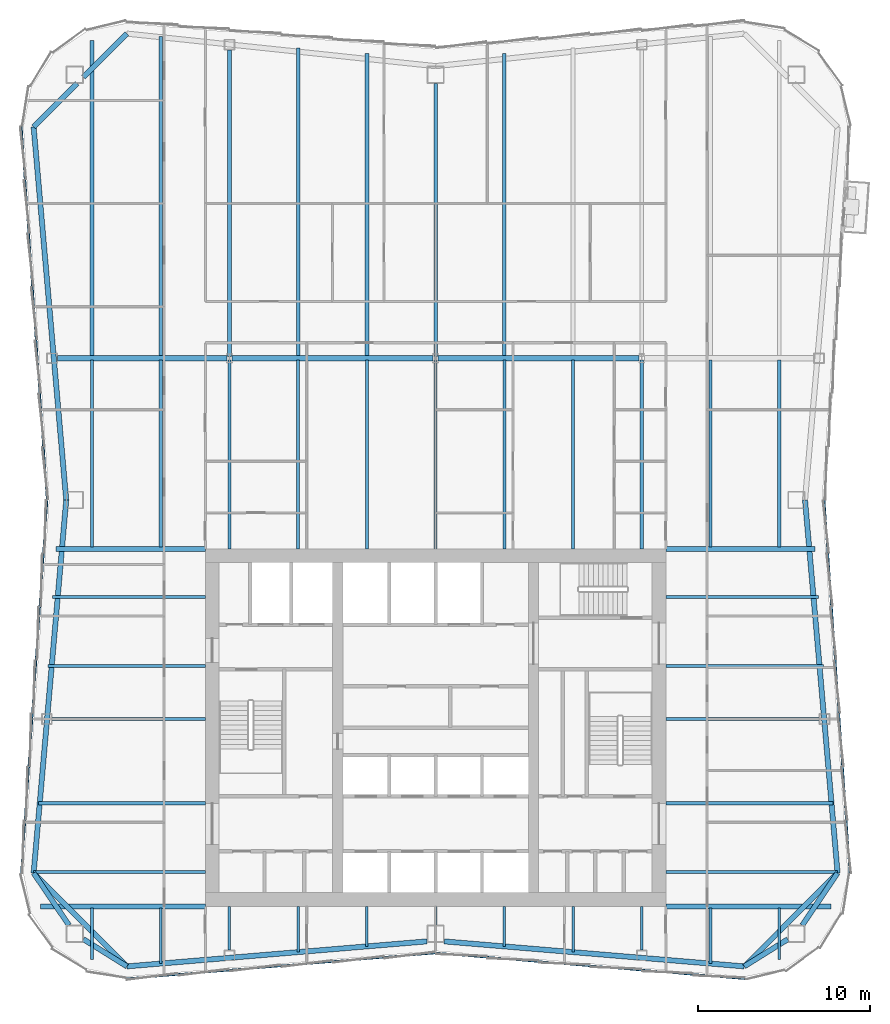
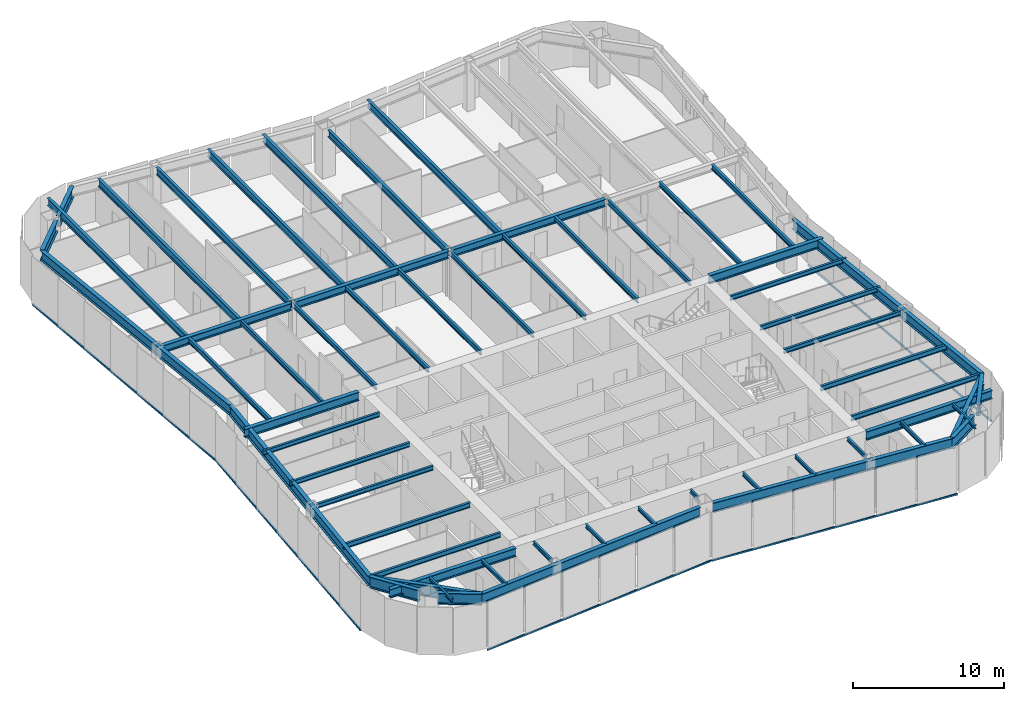
# One storey, part 3 of 12: 59 beams, 5 members, 3 elements without a shape of their own.
"""IFC4 building model written with IfcOpenShell, lengths in metres."""

from ifc_helpers import new_model, si_unit, direction, frame, origin, origin_2d, place, context, subcontext, project, spatial, rectangle, i_section, extrude, material, material_profile, profile_set, type_object, element, aggregate, save


model = new_model("IFC4")

# Units and contexts
model_context = context("Model", 3, precision=1e-05, world=origin(), true_north=direction((0.0, 1.0)))
body_context = subcontext(model_context, "Body", "Model", "MODEL_VIEW")
ifc_project = project(units=[si_unit("LENGTHUNIT", "METRE"), si_unit("AREAUNIT", "SQUARE_METRE"), si_unit("VOLUMEUNIT", "CUBIC_METRE"), si_unit("PLANEANGLEUNIT", "RADIAN"), si_unit("MASSUNIT", "GRAM", prefix="KILO")], contexts=[model_context])

# Site, building, storey
site_placement = place(None, origin())
site = spatial("IfcSite", under=ifc_project, at=site_placement, CompositionType="ELEMENT")
building_placement = place(site_placement, origin())
building = spatial("IfcBuilding", under=site, at=building_placement, Name="Verdant Reach Tower", CompositionType="ELEMENT")
storey_placement = place(building_placement, frame((0.0, 0.0, 266.0)))
storey = spatial("IfcBuildingStorey", under=building, at=storey_placement, Name="L61", CompositionType="ELEMENT", Elevation=266.0)

# Curtain wall, member
ifc_material_1 = material(Name="Anodised aluminium", Category="aluminium")
curtain_wall_type = type_object("IfcCurtainWallType", Name="EN-CW SYSTEM Z4", PredefinedType="NOTDEFINED", material=ifc_material_1)
curtain_wall_1_placement = place(storey_placement, origin())
curtain_wall_1 = element("IfcCurtainWall", 1, at=curtain_wall_1_placement, inside=storey, type_object=curtain_wall_type, Name="Curtain wall east, L61", PredefinedType="NOTDEFINED")
ifc_material_profile_1 = material_profile(ifc_material_1, rectangle(XDim=0.10009765625, YDim=0.1279296875, at=origin_2d()), Name="Transom 128x100")
ifc_profile_set_1 = profile_set([ifc_material_profile_1], Name="Anodised aluminium")
member_type = type_object("IfcMemberType", Name="EN-TRANSOM Z4", PredefinedType="USERDEFINED", material=ifc_profile_set_1)
member_1_placement = place(storey_placement, frame((24.109375, 19.52685546875, -0.285888671875), z_axis=(-0.068770489035, 0.997632507408, 0.0), x_axis=(-0.997632507408, -0.068770489035, 0.0)))
member_1 = element("IfcMember", 2, at=member_1_placement, type_object=member_type, Name="Transom east face part 1 1.1, L61", ObjectType="TRANSOM", PredefinedType="USERDEFINED", context=body_context, shape_type="SweptSolid", body=[
    extrude(rectangle(XDim=0.10009765625, YDim=0.1279296875, at=origin_2d()), origin(), (0.0, 0.0, 1.0), 21.74072265625),
])
aggregate(curtain_wall_1, [member_1])

# Curtain wall, members
curtain_wall_2_placement = place(storey_placement, origin())
curtain_wall_2 = element("IfcCurtainWall", 3, at=curtain_wall_2_placement, inside=storey, type_object=curtain_wall_type, Name="Curtain wall west, L61", PredefinedType="NOTDEFINED")
member_2_placement = place(storey_placement, frame((-24.109375, 62.97314453125, -0.285888671875), z_axis=(0.068770489035, -0.997632507408, 0.0), x_axis=(0.997632507408, 0.068770489035, 0.0)))
member_2 = element("IfcMember", 4, at=member_2_placement, type_object=member_type, Name="Transom west face part 1 1.1, L61", ObjectType="TRANSOM", PredefinedType="USERDEFINED", context=body_context, shape_type="SweptSolid", body=[
    extrude(rectangle(XDim=0.10009765625, YDim=0.1279296875, at=origin_2d()), origin(), (0.0, 0.0, 1.0), 21.74072265625),
])
member_3_placement = place(storey_placement, frame((-22.6142578125, 41.216064453125, -0.285888671875), z_axis=(-0.068770489035, -0.997632507408, 0.0), x_axis=(0.997632507408, -0.068770489035, 0.0)))
member_3 = element("IfcMember", 5, at=member_3_placement, type_object=member_type, Name="Transom west face part 2 1.1, L61", ObjectType="TRANSOM", PredefinedType="USERDEFINED", context=body_context, shape_type="SweptSolid", body=[
    extrude(rectangle(XDim=0.10009765625, YDim=0.1279296875, at=origin_2d()), origin(), (0.0, 0.0, 1.0), 21.74072265625),
])
aggregate(curtain_wall_2, [member_2, member_3])

curtain_wall_3_placement = place(storey_placement, origin())
curtain_wall_3 = element("IfcCurtainWall", 6, at=curtain_wall_3_placement, inside=storey, type_object=curtain_wall_type, Name="Curtain wall south, L61", PredefinedType="NOTDEFINED")
member_4_placement = place(storey_placement, frame((-17.972412109375, 13.39111328125, -0.285888671875), z_axis=(0.996549124771, 0.083005071637, 0.0), x_axis=(-0.083005071637, 0.996549124771, 0.0)))
member_4 = element("IfcMember", 7, at=member_4_placement, type_object=member_type, Name="Transom south face part 1 1.1, L61", ObjectType="TRANSOM", PredefinedType="USERDEFINED", context=body_context, shape_type="SweptSolid", body=[
    extrude(rectangle(XDim=0.10009765625, YDim=0.1279296875, at=origin_2d()), origin(), (0.0, 0.0, 1.0), 18.00048828125),
])
member_5_placement = place(storey_placement, frame((0.033935546875, 14.88525390625, -0.285888671875), z_axis=(0.996549124771, -0.083005071637, 0.0), x_axis=(0.083005071637, 0.996549124771, 0.0)))
member_5 = element("IfcMember", 8, at=member_5_placement, type_object=member_type, Name="Transom south face part 2 1.1, L61", ObjectType="TRANSOM", PredefinedType="USERDEFINED", context=body_context, shape_type="SweptSolid", body=[
    extrude(rectangle(XDim=0.10009765625, YDim=0.1279296875, at=origin_2d()), origin(), (0.0, 0.0, 1.0), 18.00048828125),
])
aggregate(curtain_wall_3, [member_4, member_5])

# Beams
ifc_material_2 = material(Name="Steel S355", Category="steel")
ifc_material_profile_2 = material_profile(ifc_material_2, i_section(OverallWidth=0.300048828125, OverallDepth=0.60009765625, WebThickness=0.015380859375, FlangeThickness=0.030029296875, FilletRadius=0.027099609375, at=origin_2d()), Name="HEB 600")
ifc_profile_set_2 = profile_set([ifc_material_profile_2], Name="Steel S355")
beam_type_1 = type_object("IfcBeamType", Name="ST-BEAM-HEB600", PredefinedType="BEAM", material=ifc_profile_set_2)
beam_1_placement = place(storey_placement, frame((-22.01904296875, 49.5, 3.570068359375), z_axis=(1.0, 0.0, 0.0), x_axis=(0.0, 1.0, 0.0)))
element("IfcBeam", 9, at=beam_1_placement, inside=storey, type_object=beam_type_1, Name="Row girder, L61", PredefinedType="BEAM", context=body_context, shape_type="SweptSolid", body=[
    extrude(i_section(OverallWidth=0.300048828125, OverallDepth=0.60009765625, WebThickness=0.015380859375, FlangeThickness=0.030029296875, FilletRadius=0.027099609375, at=origin_2d()), origin(), (0.0, 0.0, 1.0), 9.865966796875),
])
for number, where, z_axis, x_axis, name in (
    (10, (-11.846923828125, 49.5, 3.570068359375), (1.0, 0.0, 0.0), (0.0, 1.0, 0.0), "Row girder, L61"),
    (11, (0.153076171875, 49.5, 3.570068359375), (1.0, 0.0, 0.0), (0.0, 1.0, 0.0), "Row girder, L61"),
):
    element("IfcBeam", number, at=place(storey_placement, frame(where, z_axis=z_axis, x_axis=x_axis)), inside=storey, type_object=beam_type_1, Name=name, PredefinedType="BEAM", context=body_context, shape_type="SweptSolid", body=[
        extrude(i_section(OverallWidth=0.300048828125, OverallDepth=0.60009765625, WebThickness=0.015380859375, FlangeThickness=0.030029296875, FilletRadius=0.027099609375, at=origin_2d()), origin(), (0.0, 0.0, 1.0), 11.69384765625),
    ])
ifc_material_profile_3 = material_profile(ifc_material_2, i_section(OverallWidth=0.300048828125, OverallDepth=0.699951171875, WebThickness=0.01708984375, FlangeThickness=0.031982421875, FilletRadius=0.027099609375, at=origin_2d()), Name="HEB 700")
ifc_profile_set_3 = profile_set([ifc_material_profile_3], Name="Steel S355")
beam_type_2 = type_object("IfcBeamType", Name="ST-BEAM-HEB700", PredefinedType="BEAM", material=ifc_profile_set_3)
for number, where, z_axis, x_axis, name in (
    (12, (13.39990234375, 38.39990234375, 3.52001953125), (1.0, 0.0, 0.0), (0.0, 1.0, 0.0), "Trimmer beam, L61"),
    (13, (-13.39990234375, 38.39990234375, 3.52001953125), (-1.0, 0.0, 0.0), (0.0, -1.0, 0.0), "Trimmer beam, L61"),
):
    element("IfcBeam", number, at=place(storey_placement, frame(where, z_axis=z_axis, x_axis=x_axis)), inside=storey, type_object=beam_type_2, Name=name, PredefinedType="BEAM", context=body_context, shape_type="SweptSolid", body=[
        extrude(i_section(OverallWidth=0.300048828125, OverallDepth=0.699951171875, WebThickness=0.01708984375, FlangeThickness=0.031982421875, FilletRadius=0.027099609375, at=origin_2d()), origin(), (0.0, 0.0, 1.0), 8.6953125),
    ])
for number, where, z_axis, x_axis, name in (
    (14, (13.39990234375, 17.60009765625, 3.52001953125), (1.0, 0.0, 0.0), (0.0, 1.0, 0.0), "Trimmer beam, L61"),
    (15, (-13.39990234375, 17.60009765625, 3.52001953125), (-1.0, 0.0, 0.0), (0.0, -1.0, 0.0), "Trimmer beam, L61"),
):
    element("IfcBeam", number, at=place(storey_placement, frame(where, z_axis=z_axis, x_axis=x_axis)), inside=storey, type_object=beam_type_2, Name=name, PredefinedType="BEAM", context=body_context, shape_type="SweptSolid", body=[
        extrude(i_section(OverallWidth=0.300048828125, OverallDepth=0.699951171875, WebThickness=0.01708984375, FlangeThickness=0.031982421875, FilletRadius=0.027099609375, at=origin_2d()), origin(), (0.0, 0.0, 1.0), 9.6103515625),
    ])
ifc_material_profile_4 = material_profile(ifc_material_2, i_section(OverallWidth=0.302001953125, OverallDepth=0.909912109375, WebThickness=0.02099609375, FlangeThickness=0.0400390625, FilletRadius=0.030029296875, at=origin_2d()), Name="HEM 900")
ifc_profile_set_4 = profile_set([ifc_material_profile_4], Name="Steel S355")
beam_type_3 = type_object("IfcBeamType", Name="ST-BEAM-HEM900", PredefinedType="BEAM", material=ifc_profile_set_4)
beam_2_placement = place(storey_placement, frame((20.5, 15.687744140625, 3.4150390625), z_axis=(-0.848163521635, -0.529734500073, 0.0), x_axis=(0.529734500073, -0.848163521635, 0.0)))
element("IfcBeam", 16, at=beam_2_placement, inside=storey, type_object=beam_type_3, Name="Column stub beam, L61", PredefinedType="BEAM", context=body_context, shape_type="SweptSolid", body=[
    extrude(i_section(OverallWidth=0.302001953125, OverallDepth=0.909912109375, WebThickness=0.02099609375, FlangeThickness=0.0400390625, FilletRadius=0.030029296875, at=origin_2d()), origin(), (0.0, 0.0, 1.0), 2.98779296875),
])
beam_3_placement = place(storey_placement, frame((21.33837890625, 16.5, 3.4150390625), z_axis=(0.560703975309, 0.828016335631, 0.0), x_axis=(-0.828016335631, 0.560703975309, 0.0)))
element("IfcBeam", 17, at=beam_3_placement, inside=storey, type_object=beam_type_3, Name="Column stub beam, L61", PredefinedType="BEAM", context=body_context, shape_type="SweptSolid", body=[
    extrude(i_section(OverallWidth=0.302001953125, OverallDepth=0.909912109375, WebThickness=0.02099609375, FlangeThickness=0.0400390625, FilletRadius=0.030029296875, at=origin_2d()), origin(), (0.0, 0.0, 1.0), 3.669677734375),
])
beam_4_placement = place(storey_placement, frame((-20.5, 15.687744140625, 3.4150390625), z_axis=(0.848163521635, -0.529734500073, 0.0), x_axis=(0.529734500073, 0.848163521635, 0.0)))
element("IfcBeam", 18, at=beam_4_placement, inside=storey, type_object=beam_type_3, Name="Column stub beam, L61", PredefinedType="BEAM", context=body_context, shape_type="SweptSolid", body=[
    extrude(i_section(OverallWidth=0.302001953125, OverallDepth=0.909912109375, WebThickness=0.02099609375, FlangeThickness=0.0400390625, FilletRadius=0.030029296875, at=origin_2d()), origin(), (0.0, 0.0, 1.0), 2.98779296875),
])
beam_5_placement = place(storey_placement, frame((-21.33837890625, 16.5, 3.4150390625), z_axis=(-0.560703975309, 0.828016335631, 0.0), x_axis=(-0.828016335631, -0.560703975309, 0.0)))
element("IfcBeam", 19, at=beam_5_placement, inside=storey, type_object=beam_type_3, Name="Column stub beam, L61", PredefinedType="BEAM", context=body_context, shape_type="SweptSolid", body=[
    extrude(i_section(OverallWidth=0.302001953125, OverallDepth=0.909912109375, WebThickness=0.02099609375, FlangeThickness=0.0400390625, FilletRadius=0.030029296875, at=origin_2d()), origin(), (0.0, 0.0, 1.0), 3.669677734375),
])
ifc_material_profile_5 = material_profile(ifc_material_2, i_section(OverallWidth=0.14990234375, OverallDepth=0.300048828125, WebThickness=0.007080078125, FlangeThickness=0.0107421875, FilletRadius=0.014892578125, at=origin_2d()), Name="IPE 300")
ifc_profile_set_5 = profile_set([ifc_material_profile_5], Name="Steel S355")
beam_type_4 = type_object("IfcBeamType", Name="ST-JOIST-IPE300", PredefinedType="JOIST", material=ifc_profile_set_5)
beam_6_placement = place(storey_placement, frame((-20.0, 17.5, 3.719970703125), z_axis=(0.0, -1.0, 0.0), x_axis=(1.0, 0.0, 0.0)))
element("IfcBeam", 20, at=beam_6_placement, inside=storey, type_object=beam_type_4, Name="Floor joist, L61", PredefinedType="JOIST", context=body_context, shape_type="SweptSolid", body=[
    extrude(i_section(OverallWidth=0.14990234375, OverallDepth=0.300048828125, WebThickness=0.007080078125, FlangeThickness=0.0107421875, FilletRadius=0.014892578125, at=origin_2d()), origin(), (0.0, 0.0, 1.0), 2.990478515625),
])
beam_7_placement = place(storey_placement, frame((-16.0, 17.5, 3.719970703125), z_axis=(0.0, -1.0, 0.0), x_axis=(1.0, 0.0, 0.0)))
element("IfcBeam", 21, at=beam_7_placement, inside=storey, type_object=beam_type_4, Name="Floor joist, L61", PredefinedType="JOIST", context=body_context, shape_type="SweptSolid", body=[
    extrude(i_section(OverallWidth=0.14990234375, OverallDepth=0.300048828125, WebThickness=0.007080078125, FlangeThickness=0.0107421875, FilletRadius=0.014892578125, at=origin_2d()), origin(), (0.0, 0.0, 1.0), 3.231201171875),
])
beam_8_placement = place(storey_placement, frame((-12.0, 17.60009765625, 3.719970703125), z_axis=(0.0, -1.0, 0.0), x_axis=(1.0, 0.0, 0.0)))
element("IfcBeam", 22, at=beam_8_placement, inside=storey, type_object=beam_type_4, Name="Floor joist, L61", PredefinedType="JOIST", context=body_context, shape_type="SweptSolid", body=[
    extrude(i_section(OverallWidth=0.14990234375, OverallDepth=0.300048828125, WebThickness=0.007080078125, FlangeThickness=0.0107421875, FilletRadius=0.014892578125, at=origin_2d()), origin(), (0.0, 0.0, 1.0), 2.550048828125),
])
beam_9_placement = place(storey_placement, frame((-8.0, 17.60009765625, 3.719970703125), z_axis=(0.0, -1.0, 0.0), x_axis=(1.0, 0.0, 0.0)))
element("IfcBeam", 23, at=beam_9_placement, inside=storey, type_object=beam_type_4, Name="Floor joist, L61", PredefinedType="JOIST", context=body_context, shape_type="SweptSolid", body=[
    extrude(i_section(OverallWidth=0.14990234375, OverallDepth=0.300048828125, WebThickness=0.007080078125, FlangeThickness=0.0107421875, FilletRadius=0.014892578125, at=origin_2d()), origin(), (0.0, 0.0, 1.0), 2.664794921875),
])
beam_10_placement = place(storey_placement, frame((-4.0, 17.60009765625, 3.719970703125), z_axis=(0.0, -1.0, 0.0), x_axis=(1.0, 0.0, 0.0)))
element("IfcBeam", 24, at=beam_10_placement, inside=storey, type_object=beam_type_4, Name="Floor joist, L61", PredefinedType="JOIST", context=body_context, shape_type="SweptSolid", body=[
    extrude(i_section(OverallWidth=0.14990234375, OverallDepth=0.300048828125, WebThickness=0.007080078125, FlangeThickness=0.0107421875, FilletRadius=0.014892578125, at=origin_2d()), origin(), (0.0, 0.0, 1.0), 2.331298828125),
])
beam_11_placement = place(storey_placement, frame((0.0, 17.60009765625, 3.719970703125), z_axis=(0.0, -1.0, 0.0), x_axis=(1.0, 0.0, 0.0)))
element("IfcBeam", 25, at=beam_11_placement, inside=storey, type_object=beam_type_4, Name="Floor joist, L61", PredefinedType="JOIST", context=body_context, shape_type="SweptSolid", body=[
    extrude(i_section(OverallWidth=0.14990234375, OverallDepth=0.300048828125, WebThickness=0.007080078125, FlangeThickness=0.0107421875, FilletRadius=0.014892578125, at=origin_2d()), origin(), (0.0, 0.0, 1.0), 1.10009765625),
])
beam_12_placement = place(storey_placement, frame((4.0, 17.60009765625, 3.719970703125), z_axis=(0.0, -1.0, 0.0), x_axis=(1.0, 0.0, 0.0)))
element("IfcBeam", 26, at=beam_12_placement, inside=storey, type_object=beam_type_4, Name="Floor joist, L61", PredefinedType="JOIST", context=body_context, shape_type="SweptSolid", body=[
    extrude(i_section(OverallWidth=0.14990234375, OverallDepth=0.300048828125, WebThickness=0.007080078125, FlangeThickness=0.0107421875, FilletRadius=0.014892578125, at=origin_2d()), origin(), (0.0, 0.0, 1.0), 2.331298828125),
])
beam_13_placement = place(storey_placement, frame((8.0, 17.60009765625, 3.719970703125), z_axis=(0.0, -1.0, 0.0), x_axis=(1.0, 0.0, 0.0)))
element("IfcBeam", 27, at=beam_13_placement, inside=storey, type_object=beam_type_4, Name="Floor joist, L61", PredefinedType="JOIST", context=body_context, shape_type="SweptSolid", body=[
    extrude(i_section(OverallWidth=0.14990234375, OverallDepth=0.300048828125, WebThickness=0.007080078125, FlangeThickness=0.0107421875, FilletRadius=0.014892578125, at=origin_2d()), origin(), (0.0, 0.0, 1.0), 2.664794921875),
])
beam_14_placement = place(storey_placement, frame((12.0, 17.60009765625, 3.719970703125), z_axis=(0.0, -1.0, 0.0), x_axis=(1.0, 0.0, 0.0)))
element("IfcBeam", 28, at=beam_14_placement, inside=storey, type_object=beam_type_4, Name="Floor joist, L61", PredefinedType="JOIST", context=body_context, shape_type="SweptSolid", body=[
    extrude(i_section(OverallWidth=0.14990234375, OverallDepth=0.300048828125, WebThickness=0.007080078125, FlangeThickness=0.0107421875, FilletRadius=0.014892578125, at=origin_2d()), origin(), (0.0, 0.0, 1.0), 2.550048828125),
])
beam_15_placement = place(storey_placement, frame((16.0, 17.5, 3.719970703125), z_axis=(0.0, -1.0, 0.0), x_axis=(1.0, 0.0, 0.0)))
element("IfcBeam", 29, at=beam_15_placement, inside=storey, type_object=beam_type_4, Name="Floor joist, L61", PredefinedType="JOIST", context=body_context, shape_type="SweptSolid", body=[
    extrude(i_section(OverallWidth=0.14990234375, OverallDepth=0.300048828125, WebThickness=0.007080078125, FlangeThickness=0.0107421875, FilletRadius=0.014892578125, at=origin_2d()), origin(), (0.0, 0.0, 1.0), 3.231201171875),
])
beam_16_placement = place(storey_placement, frame((20.0, 17.5, 3.719970703125), z_axis=(0.0, -1.0, 0.0), x_axis=(1.0, 0.0, 0.0)))
element("IfcBeam", 30, at=beam_16_placement, inside=storey, type_object=beam_type_4, Name="Floor joist, L61", PredefinedType="JOIST", context=body_context, shape_type="SweptSolid", body=[
    extrude(i_section(OverallWidth=0.14990234375, OverallDepth=0.300048828125, WebThickness=0.007080078125, FlangeThickness=0.0107421875, FilletRadius=0.014892578125, at=origin_2d()), origin(), (0.0, 0.0, 1.0), 2.990478515625),
])
ifc_material_profile_6 = material_profile(ifc_material_2, i_section(OverallWidth=0.169921875, OverallDepth=0.360107421875, WebThickness=0.008056640625, FlangeThickness=0.0126953125, FilletRadius=0.01806640625, at=origin_2d()), Name="IPE 360")
ifc_profile_set_6 = profile_set([ifc_material_profile_6], Name="Steel S355")
beam_type_5 = type_object("IfcBeamType", Name="ST-JOIST-IPE360", PredefinedType="JOIST", material=ifc_profile_set_6)
for number, where, z_axis, x_axis, name in (
    (31, (13.39990234375, 28.5, 3.68994140625), (1.0, 0.0, 0.0), (0.0, 1.0, 0.0), "Floor joist, L61"),
    (32, (-13.39990234375, 28.5, 3.68994140625), (-1.0, 0.0, 0.0), (0.0, -1.0, 0.0), "Floor joist, L61"),
):
    element("IfcBeam", number, at=place(storey_placement, frame(where, z_axis=z_axis, x_axis=x_axis)), inside=storey, type_object=beam_type_5, Name=name, PredefinedType="JOIST", context=body_context, shape_type="SweptSolid", body=[
        extrude(i_section(OverallWidth=0.169921875, OverallDepth=0.360107421875, WebThickness=0.008056640625, FlangeThickness=0.0126953125, FilletRadius=0.01806640625, at=origin_2d()), origin(), (0.0, 0.0, 1.0), 8.929443359375),
    ])
for number, where, z_axis, x_axis, name in (
    (33, (13.39990234375, 31.60009765625, 3.68994140625), (1.0, 0.0, 0.0), (0.0, 1.0, 0.0), "Floor joist, L61"),
    (34, (-13.39990234375, 31.60009765625, 3.68994140625), (-1.0, 0.0, 0.0), (0.0, -1.0, 0.0), "Floor joist, L61"),
):
    element("IfcBeam", number, at=place(storey_placement, frame(where, z_axis=z_axis, x_axis=x_axis)), inside=storey, type_object=beam_type_5, Name=name, PredefinedType="JOIST", context=body_context, shape_type="SweptSolid", body=[
        extrude(i_section(OverallWidth=0.169921875, OverallDepth=0.360107421875, WebThickness=0.008056640625, FlangeThickness=0.0126953125, FilletRadius=0.01806640625, at=origin_2d()), origin(), (0.0, 0.0, 1.0), 9.164306640625),
    ])
for number, where, z_axis, x_axis, name in (
    (35, (13.39990234375, 35.60009765625, 3.68994140625), (1.0, 0.0, 0.0), (0.0, 1.0, 0.0), "Floor joist, L61"),
    (36, (-13.39990234375, 35.60009765625, 3.68994140625), (-1.0, 0.0, 0.0), (0.0, -1.0, 0.0), "Floor joist, L61"),
):
    element("IfcBeam", number, at=place(storey_placement, frame(where, z_axis=z_axis, x_axis=x_axis)), inside=storey, type_object=beam_type_5, Name=name, PredefinedType="JOIST", context=body_context, shape_type="SweptSolid", body=[
        extrude(i_section(OverallWidth=0.169921875, OverallDepth=0.360107421875, WebThickness=0.008056640625, FlangeThickness=0.0126953125, FilletRadius=0.01806640625, at=origin_2d()), origin(), (0.0, 0.0, 1.0), 8.88818359375),
    ])
ifc_material_profile_7 = material_profile(ifc_material_2, i_section(OverallWidth=0.179931640625, OverallDepth=0.39990234375, WebThickness=0.008544921875, FlangeThickness=0.013427734375, FilletRadius=0.02099609375, at=origin_2d()), Name="IPE 400")
ifc_profile_set_7 = profile_set([ifc_material_profile_7], Name="Steel S355")
beam_type_6 = type_object("IfcBeamType", Name="ST-JOIST-IPE400", PredefinedType="JOIST", material=ifc_profile_set_7)
for number, where, z_axis, x_axis, name in (
    (37, (-20.0, 38.5, 3.669921875), (0.0, 1.0, 0.0), (-1.0, 0.0, 0.0), "Floor joist, L61"),
    (38, (-16.0, 38.5, 3.669921875), (0.0, 1.0, 0.0), (-1.0, 0.0, 0.0), "Floor joist, L61"),
):
    element("IfcBeam", number, at=place(storey_placement, frame(where, z_axis=z_axis, x_axis=x_axis)), inside=storey, type_object=beam_type_6, Name=name, PredefinedType="JOIST", context=body_context, shape_type="SweptSolid", body=[
        extrude(i_section(OverallWidth=0.179931640625, OverallDepth=0.39990234375, WebThickness=0.008544921875, FlangeThickness=0.013427734375, FilletRadius=0.02099609375, at=origin_2d()), origin(), (0.0, 0.0, 1.0), 10.89990234375),
    ])
for number, where, z_axis, x_axis, name in (
    (39, (-12.0, 38.39990234375, 3.669921875), (0.0, 1.0, 0.0), (-1.0, 0.0, 0.0), "Floor joist, L61"),
    (40, (-8.0, 38.39990234375, 3.669921875), (0.0, 1.0, 0.0), (-1.0, 0.0, 0.0), "Floor joist, L61"),
    (41, (-4.0, 38.39990234375, 3.669921875), (0.0, 1.0, 0.0), (-1.0, 0.0, 0.0), "Floor joist, L61"),
    (42, (0.0, 38.39990234375, 3.669921875), (0.0, 1.0, 0.0), (-1.0, 0.0, 0.0), "Floor joist, L61"),
    (43, (4.0, 38.39990234375, 3.669921875), (0.0, 1.0, 0.0), (-1.0, 0.0, 0.0), "Floor joist, L61"),
    (44, (8.0, 38.39990234375, 3.669921875), (0.0, 1.0, 0.0), (-1.0, 0.0, 0.0), "Floor joist, L61"),
    (45, (12.0, 38.39990234375, 3.669921875), (0.0, 1.0, 0.0), (-1.0, 0.0, 0.0), "Floor joist, L61"),
):
    element("IfcBeam", number, at=place(storey_placement, frame(where, z_axis=z_axis, x_axis=x_axis)), inside=storey, type_object=beam_type_6, Name=name, PredefinedType="JOIST", context=body_context, shape_type="SweptSolid", body=[
        extrude(i_section(OverallWidth=0.179931640625, OverallDepth=0.39990234375, WebThickness=0.008544921875, FlangeThickness=0.013427734375, FilletRadius=0.02099609375, at=origin_2d()), origin(), (0.0, 0.0, 1.0), 11.0),
    ])
for number, where, z_axis, x_axis, name in (
    (46, (16.0, 38.5, 3.669921875), (0.0, 1.0, 0.0), (-1.0, 0.0, 0.0), "Floor joist, L61"),
    (47, (20.0, 38.5, 3.669921875), (0.0, 1.0, 0.0), (-1.0, 0.0, 0.0), "Floor joist, L61"),
):
    element("IfcBeam", number, at=place(storey_placement, frame(where, z_axis=z_axis, x_axis=x_axis)), inside=storey, type_object=beam_type_6, Name=name, PredefinedType="JOIST", context=body_context, shape_type="SweptSolid", body=[
        extrude(i_section(OverallWidth=0.179931640625, OverallDepth=0.39990234375, WebThickness=0.008544921875, FlangeThickness=0.013427734375, FilletRadius=0.02099609375, at=origin_2d()), origin(), (0.0, 0.0, 1.0), 10.89990234375),
    ])
for number, where, z_axis, x_axis, name in (
    (48, (13.39990234375, 19.60009765625, 3.669921875), (1.0, 0.0, 0.0), (0.0, 1.0, 0.0), "Floor joist, L61"),
    (49, (-13.39990234375, 19.60009765625, 3.669921875), (-1.0, 0.0, 0.0), (0.0, -1.0, 0.0), "Floor joist, L61"),
):
    element("IfcBeam", number, at=place(storey_placement, frame(where, z_axis=z_axis, x_axis=x_axis)), inside=storey, type_object=beam_type_6, Name=name, PredefinedType="JOIST", context=body_context, shape_type="SweptSolid", body=[
        extrude(i_section(OverallWidth=0.179931640625, OverallDepth=0.39990234375, WebThickness=0.008544921875, FlangeThickness=0.013427734375, FilletRadius=0.02099609375, at=origin_2d()), origin(), (0.0, 0.0, 1.0), 9.99169921875),
    ])
for number, where, z_axis, x_axis, name in (
    (50, (13.39990234375, 23.60009765625, 3.669921875), (1.0, 0.0, 0.0), (0.0, 1.0, 0.0), "Floor joist, L61"),
    (51, (-13.39990234375, 23.60009765625, 3.669921875), (-1.0, 0.0, 0.0), (0.0, -1.0, 0.0), "Floor joist, L61"),
):
    element("IfcBeam", number, at=place(storey_placement, frame(where, z_axis=z_axis, x_axis=x_axis)), inside=storey, type_object=beam_type_6, Name=name, PredefinedType="JOIST", context=body_context, shape_type="SweptSolid", body=[
        extrude(i_section(OverallWidth=0.179931640625, OverallDepth=0.39990234375, WebThickness=0.008544921875, FlangeThickness=0.013427734375, FilletRadius=0.02099609375, at=origin_2d()), origin(), (0.0, 0.0, 1.0), 9.7158203125),
    ])
ifc_material_profile_8 = material_profile(ifc_material_2, i_section(OverallWidth=0.2099609375, OverallDepth=0.550048828125, WebThickness=0.010986328125, FlangeThickness=0.01708984375, FilletRadius=0.02392578125, at=origin_2d()), Name="IPE 550")
ifc_profile_set_8 = profile_set([ifc_material_profile_8], Name="Steel S355")
beam_type_7 = type_object("IfcBeamType", Name="ST-JOIST-IPE550", PredefinedType="JOIST", material=ifc_profile_set_8)
beam_17_placement = place(storey_placement, frame((0.0, 49.60009765625, 3.594970703125), z_axis=(0.0, 1.0, 0.0), x_axis=(-1.0, 0.0, 0.0)))
element("IfcBeam", 52, at=beam_17_placement, inside=storey, type_object=beam_type_7, Name="Floor joist, L61", PredefinedType="JOIST", context=body_context, shape_type="SweptSolid", body=[
    extrude(i_section(OverallWidth=0.2099609375, OverallDepth=0.550048828125, WebThickness=0.010986328125, FlangeThickness=0.01708984375, FilletRadius=0.02392578125, at=origin_2d()), origin(), (0.0, 0.0, 1.0), 15.89990234375),
])
ifc_material_profile_9 = material_profile(ifc_material_2, i_section(OverallWidth=0.219970703125, OverallDepth=0.60009765625, WebThickness=0.011962890625, FlangeThickness=0.01904296875, FilletRadius=0.02392578125, at=origin_2d()), Name="IPE 600")
ifc_profile_set_9 = profile_set([ifc_material_profile_9], Name="Steel S355")
beam_type_8 = type_object("IfcBeamType", Name="ST-JOIST-IPE600", PredefinedType="JOIST", material=ifc_profile_set_9)
beam_18_placement = place(storey_placement, frame((-20.0, 49.60009765625, 3.570068359375), z_axis=(0.0, 1.0, 0.0), x_axis=(-1.0, 0.0, 0.0)))
element("IfcBeam", 53, at=beam_18_placement, inside=storey, type_object=beam_type_8, Name="Floor joist, L61", PredefinedType="JOIST", context=body_context, shape_type="SweptSolid", body=[
    extrude(i_section(OverallWidth=0.219970703125, OverallDepth=0.60009765625, WebThickness=0.011962890625, FlangeThickness=0.01904296875, FilletRadius=0.02392578125, at=origin_2d()), origin(), (0.0, 0.0, 1.0), 18.390380859375),
])
beam_19_placement = place(storey_placement, frame((-16.0, 49.60009765625, 3.570068359375), z_axis=(0.0, 1.0, 0.0), x_axis=(-1.0, 0.0, 0.0)))
element("IfcBeam", 54, at=beam_19_placement, inside=storey, type_object=beam_type_8, Name="Floor joist, L61", PredefinedType="JOIST", context=body_context, shape_type="SweptSolid", body=[
    extrude(i_section(OverallWidth=0.219970703125, OverallDepth=0.60009765625, WebThickness=0.011962890625, FlangeThickness=0.01904296875, FilletRadius=0.02392578125, at=origin_2d()), origin(), (0.0, 0.0, 1.0), 18.631103515625),
])
beam_20_placement = place(storey_placement, frame((-12.0, 49.60009765625, 3.570068359375), z_axis=(0.0, 1.0, 0.0), x_axis=(-1.0, 0.0, 0.0)))
element("IfcBeam", 55, at=beam_20_placement, inside=storey, type_object=beam_type_8, Name="Floor joist, L61", PredefinedType="JOIST", context=body_context, shape_type="SweptSolid", body=[
    extrude(i_section(OverallWidth=0.219970703125, OverallDepth=0.60009765625, WebThickness=0.011962890625, FlangeThickness=0.01904296875, FilletRadius=0.02392578125, at=origin_2d()), origin(), (0.0, 0.0, 1.0), 17.849853515625),
])
beam_21_placement = place(storey_placement, frame((-8.0, 49.60009765625, 3.570068359375), z_axis=(0.0, 1.0, 0.0), x_axis=(-1.0, 0.0, 0.0)))
element("IfcBeam", 56, at=beam_21_placement, inside=storey, type_object=beam_type_8, Name="Floor joist, L61", PredefinedType="JOIST", context=body_context, shape_type="SweptSolid", body=[
    extrude(i_section(OverallWidth=0.219970703125, OverallDepth=0.60009765625, WebThickness=0.011962890625, FlangeThickness=0.01904296875, FilletRadius=0.02392578125, at=origin_2d()), origin(), (0.0, 0.0, 1.0), 17.964599609375),
])
for number, where, z_axis, x_axis, name in (
    (57, (-4.0, 49.60009765625, 3.570068359375), (0.0, 1.0, 0.0), (-1.0, 0.0, 0.0), "Floor joist, L61"),
    (58, (4.0, 49.60009765625, 3.570068359375), (0.0, 1.0, 0.0), (-1.0, 0.0, 0.0), "Floor joist, L61"),
):
    element("IfcBeam", number, at=place(storey_placement, frame(where, z_axis=z_axis, x_axis=x_axis)), inside=storey, type_object=beam_type_8, Name=name, PredefinedType="JOIST", context=body_context, shape_type="SweptSolid", body=[
        extrude(i_section(OverallWidth=0.219970703125, OverallDepth=0.60009765625, WebThickness=0.011962890625, FlangeThickness=0.01904296875, FilletRadius=0.02392578125, at=origin_2d()), origin(), (0.0, 0.0, 1.0), 17.631103515625),
    ])
ifc_material_profile_10 = material_profile(ifc_material_2, i_section(OverallWidth=0.300048828125, OverallDepth=0.800048828125, WebThickness=0.017578125, FlangeThickness=0.032958984375, FilletRadius=0.030029296875, at=origin_2d()), Name="HEB 800")
ifc_profile_set_10 = profile_set([ifc_material_profile_10], Name="Steel S355")
beam_type_9 = type_object("IfcBeamType", Name="ST-SPANDREL-HEB800", PredefinedType="SPANDREL", material=ifc_profile_set_10)
for number, where, z_axis, x_axis, name in (
    (59, (17.9658203125, 14.10498046875, 3.469970703125), (-0.99654652675, 0.083036257282, 0.0), (-0.083036257282, -0.99654652675, 0.0), "Edge beam, L61"),
    (60, (-0.5, 15.560302734375, 3.469970703125), (-0.99654652675, -0.083036257282, 0.0), (0.083036257282, -0.99654652675, 0.0), "Edge beam, L61"),
):
    element("IfcBeam", number, at=place(storey_placement, frame(where, z_axis=z_axis, x_axis=x_axis)), inside=storey, type_object=beam_type_9, Name=name, PredefinedType="SPANDREL", context=body_context, shape_type="SweptSolid", body=[
        extrude(i_section(OverallWidth=0.300048828125, OverallDepth=0.800048828125, WebThickness=0.017578125, FlangeThickness=0.032958984375, FilletRadius=0.030029296875, at=origin_2d()), origin(), (0.0, 0.0, 1.0), 17.5263671875),
    ])
for number, where, z_axis, x_axis, name in (
    (61, (-23.39599609375, 19.53857421875, 3.469970703125), (0.086996024331, 0.996208658741, 0.0), (-0.996208658741, 0.086996024331, 0.0), "Edge beam, L61"),
    (62, (-21.5, 41.25, 3.469970703125), (-0.086996024331, 0.996208658741, 0.0), (-0.996208658741, -0.086996024331, 0.0), "Edge beam, L61"),
    (63, (21.5, 41.25, 3.469970703125), (0.086996024331, -0.996208658741, 0.0), (0.996208658741, 0.086996024331, 0.0), "Edge beam, L61"),
):
    element("IfcBeam", number, at=place(storey_placement, frame(where, z_axis=z_axis, x_axis=x_axis)), inside=storey, type_object=beam_type_9, Name=name, PredefinedType="SPANDREL", context=body_context, shape_type="SweptSolid", body=[
        extrude(i_section(OverallWidth=0.300048828125, OverallDepth=0.800048828125, WebThickness=0.017578125, FlangeThickness=0.032958984375, FilletRadius=0.030029296875, at=origin_2d()), origin(), (0.0, 0.0, 1.0), 21.7939453125),
    ])
ifc_material_profile_11 = material_profile(ifc_material_2, i_section(OverallWidth=0.302001953125, OverallDepth=0.909912109375, WebThickness=0.02099609375, FlangeThickness=0.0400390625, FilletRadius=0.030029296875, at=origin_2d()), Name="HEM 900")
ifc_profile_set_11 = profile_set([ifc_material_profile_11], Name="Steel S355")
beam_type_10 = type_object("IfcBeamType", Name="ST-SPANDREL-HEM900", PredefinedType="SPANDREL", material=ifc_profile_set_11)
beam_22_placement = place(storey_placement, frame((-17.9658203125, 14.10498046875, 3.4150390625), z_axis=(-0.706884275642, 0.707329216738, 0.0), x_axis=(-0.707329216738, -0.706884275642, 0.0)))
element("IfcBeam", 64, at=beam_22_placement, inside=storey, type_object=beam_type_10, Name="Edge beam, L61", PredefinedType="SPANDREL", context=body_context, shape_type="SweptSolid", body=[
    extrude(i_section(OverallWidth=0.302001953125, OverallDepth=0.909912109375, WebThickness=0.02099609375, FlangeThickness=0.0400390625, FilletRadius=0.030029296875, at=origin_2d()), origin(), (0.0, 0.0, 1.0), 7.681884765625),
])
beam_23_placement = place(storey_placement, frame((-23.39599609375, 62.96142578125, 3.4150390625), z_axis=(0.706902680526, 0.707310822952, 0.0), x_axis=(-0.707310822952, 0.706902680526, 0.0)))
element("IfcBeam", 65, at=beam_23_placement, inside=storey, type_object=beam_type_10, Name="Edge beam, L61", PredefinedType="SPANDREL", context=body_context, shape_type="SweptSolid", body=[
    extrude(i_section(OverallWidth=0.302001953125, OverallDepth=0.909912109375, WebThickness=0.02099609375, FlangeThickness=0.0400390625, FilletRadius=0.030029296875, at=origin_2d()), origin(), (0.0, 0.0, 1.0), 3.589111328125),
])
beam_24_placement = place(storey_placement, frame((-20.5, 65.859130859375, 3.4150390625), z_axis=(0.706868394255, 0.707345087777, 0.0), x_axis=(-0.707345087777, 0.706868394255, 0.0)))
element("IfcBeam", 66, at=beam_24_placement, inside=storey, type_object=beam_type_10, Name="Edge beam, L61", PredefinedType="SPANDREL", context=body_context, shape_type="SweptSolid", body=[
    extrude(i_section(OverallWidth=0.302001953125, OverallDepth=0.909912109375, WebThickness=0.02099609375, FlangeThickness=0.0400390625, FilletRadius=0.030029296875, at=origin_2d()), origin(), (0.0, 0.0, 1.0), 3.5849609375),
])
beam_25_placement = place(storey_placement, frame((23.39599609375, 19.53857421875, 3.4150390625), z_axis=(-0.706884275642, -0.707329216738, 0.0), x_axis=(0.707329216738, -0.706884275642, 0.0)))
element("IfcBeam", 67, at=beam_25_placement, inside=storey, type_object=beam_type_10, Name="Edge beam, L61", PredefinedType="SPANDREL", context=body_context, shape_type="SweptSolid", body=[
    extrude(i_section(OverallWidth=0.302001953125, OverallDepth=0.909912109375, WebThickness=0.02099609375, FlangeThickness=0.0400390625, FilletRadius=0.030029296875, at=origin_2d()), origin(), (0.0, 0.0, 1.0), 7.681884765625),
])

save(model, "model.ifc")
